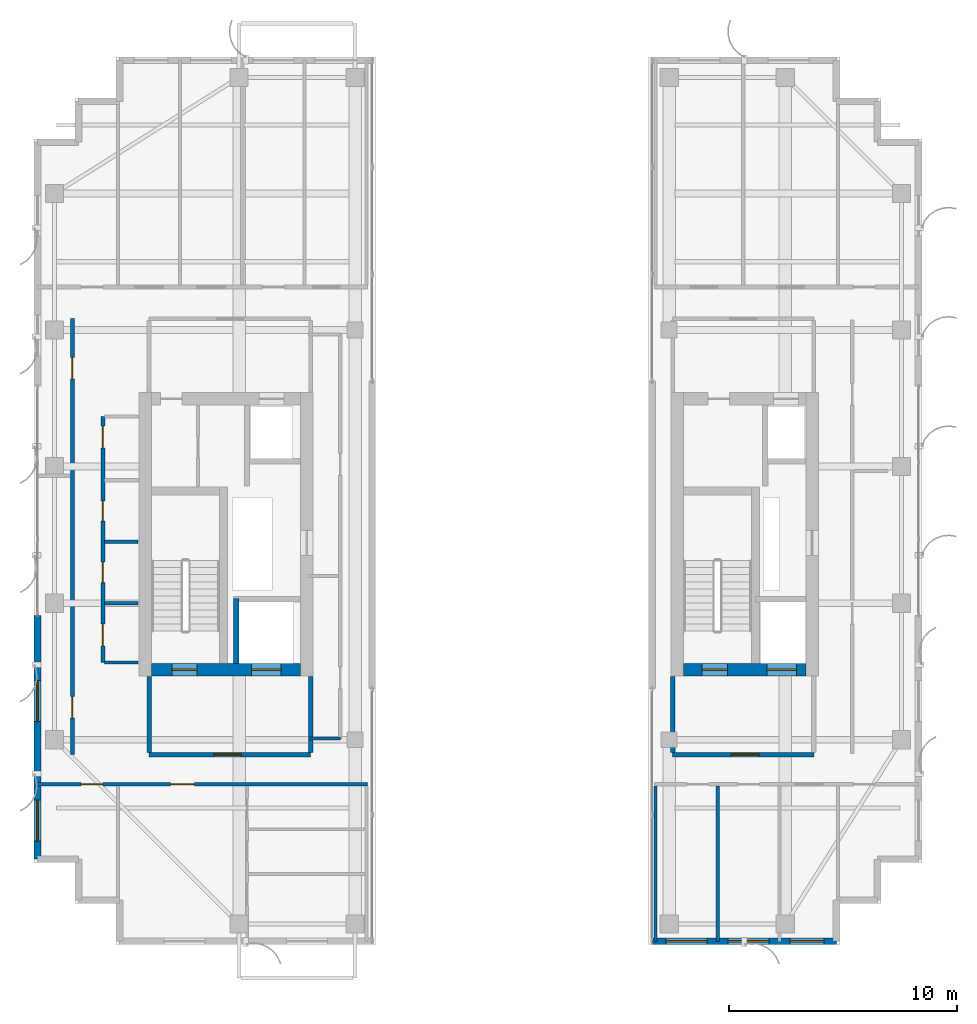
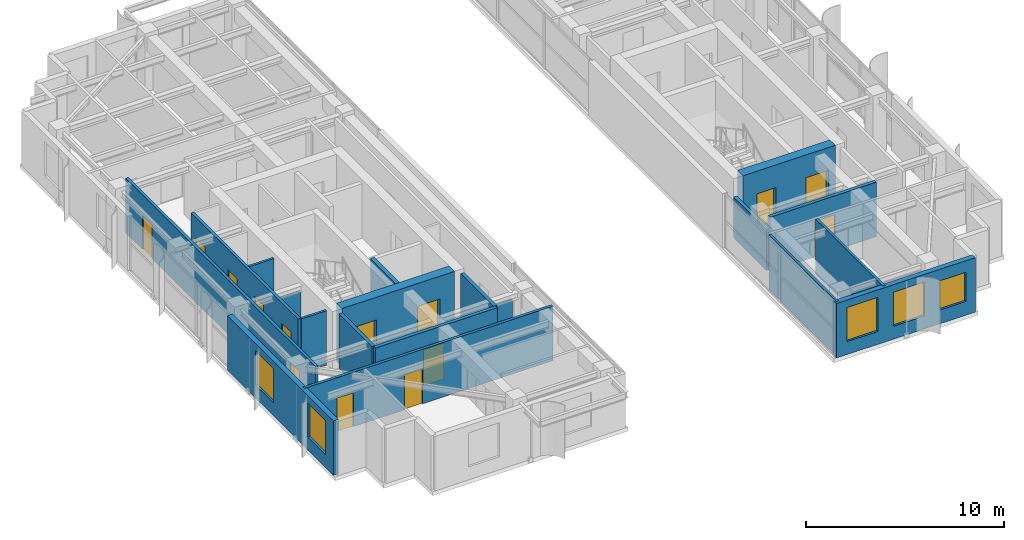
# One storey, part 17 of 22: 19 walls, 14 doors, 5 windows, 19 openings.
"""IFC4 building model written with IfcOpenShell, lengths in metres."""

from ifc_helpers import new_model, si_unit, direction, frame, frame_2d, origin, place, context, subcontext, project, spatial, rectangle, extrude, source, transform, mapped, material, layer, layer_set, type_object, element, fill, save


model = new_model("IFC4")

# Units and contexts
model_context = context("Model", 3, precision=1e-05, world=origin(), true_north=direction((0.0, 1.0)))
body_context = subcontext(model_context, "Body", "Model", "MODEL_VIEW")
ifc_project = project(units=[si_unit("LENGTHUNIT", "METRE"), si_unit("AREAUNIT", "SQUARE_METRE"), si_unit("VOLUMEUNIT", "CUBIC_METRE"), si_unit("PLANEANGLEUNIT", "RADIAN"), si_unit("MASSUNIT", "GRAM", prefix="KILO")], contexts=[model_context])

# Site, building, storey
site_placement = place(None, origin())
site = spatial("IfcSite", under=ifc_project, at=site_placement, CompositionType="ELEMENT")
building_placement = place(site_placement, origin())
building = spatial("IfcBuilding", under=site, at=building_placement, Name="Khoralis Quay Care Tower", CompositionType="ELEMENT")
storey_placement = place(building_placement, frame((0.0, 0.0, 256.5)))
storey = spatial("IfcBuildingStorey", under=building, at=storey_placement, Name="L67", CompositionType="ELEMENT", Elevation=256.5)

# Wall, opening, door
ifc_material_1 = material(Name="Gypsum plasterboard on acoustic metal stud")
ifc_layer_1 = layer(ifc_material_1, 0.199951171875)
ifc_layer_set_1 = layer_set([ifc_layer_1], Name="Gypsum plasterboard on acoustic metal stud")
wall_type_1 = type_object("IfcWallType", Name="WL-COMP-200", PredefinedType="PARTITIONING", material=ifc_layer_set_1)
wall_1_placement = place(storey_placement, frame((8.050048828125, 11.35009765625, 0.0), z_axis=(0.0, 0.0, 1.0), x_axis=(1.0, 0.0, 0.0)))
wall_1 = element("IfcWall", 1, at=wall_1_placement, inside=storey, type_object=wall_type_1, Name="L67 West Firefighting Lobby South Wall", PredefinedType="PARTITIONING", context=body_context, shape_type="SweptSolid", body=[
    extrude(rectangle(XDim=7.099853515625, YDim=0.199951171875, at=frame_2d((3.5498046875, 0.0))), origin(), (0.0, 0.0, 1.0), 3.360107421875),
])
opening_1_placement = place(wall_1_placement, frame((2.846435546875, 0.0, 0.0)))
opening_1 = element("IfcOpeningElement", 2, at=opening_1_placement, cuts=wall_1, Name="Opening FD1", PredefinedType="OPENING", context=body_context, shape_type="SweptSolid", body=[
    extrude(rectangle(XDim=1.199951171875, YDim=2.199951171875, at=frame_2d((0.60009765625, 1.10009765625))), frame((0.0, 0.10986328125, 0.0), z_axis=(0.0, -1.0, 0.0), x_axis=(1.0, 0.0, 0.0)), (0.0, 0.0, 1.0), 0.219970703125),
])
ifc_material_2 = material(Name="Fire-rated painted steel", Category="steel")
door_type_1 = type_object("IfcDoorType", Name="DR-FFL-1200X2200", OperationType="NOTDEFINED", PredefinedType="DOOR", material=ifc_material_2)
shared_shape_1 = source(origin(), body_context, "Body", "SweptSolid", [
    extrude(rectangle(XDim=1.199951171875, YDim=2.199951171875, at=frame_2d((0.60009765625, 1.10009765625))), frame((0.0, 0.02490234375, 0.0), z_axis=(0.0, -1.0, 0.0), x_axis=(1.0, 0.0, 0.0)), (0.0, 0.0, 1.0), 0.050048828125),
])
door_1_placement = place(opening_1_placement, origin())
door_1 = element("IfcDoor", 3, at=door_1_placement, inside=storey, type_object=door_type_1, Name="L67 West Firefighting Lobby Fire Door", OperationType="SINGLE_SWING_LEFT", OverallHeight=2.199951171875, OverallWidth=1.199951171875, PredefinedType="DOOR", context=body_context, shape_type="MappedRepresentation", body=[
    mapped(shared_shape_1, transform((0.0, 0.0, 0.0), scale=1.0)),
])
fill(opening_1, door_1)

# Walls
for number, where, z_axis, x_axis, name in (
    (4, (8.050048828125, 11.445068359375, 0.0), (0.0, 0.0, 1.0), (0.0, 1.0, 0.0), "L67 West Firefighting Lobby West Wall"),
    (5, (15.14990234375, 11.445068359375, 0.0), (0.0, 0.0, 1.0), (0.0, 1.0, 0.0), "L67 West Firefighting Lobby East Wall"),
):
    element("IfcWall", number, at=place(storey_placement, frame(where, z_axis=z_axis, x_axis=x_axis)), inside=storey, type_object=wall_type_1, Name=name, PredefinedType="PARTITIONING", context=body_context, shape_type="SweptSolid", body=[
        extrude(rectangle(XDim=3.3349609375, YDim=0.199951171875, at=frame_2d((1.66748046875, 0.0))), origin(), (0.0, 0.0, 1.0), 3.360107421875),
    ])

# Wall, opening, door
wall_2_placement = place(storey_placement, frame((31.050048828125, 11.35009765625, 0.0), z_axis=(0.0, 0.0, 1.0), x_axis=(1.0, 0.0, 0.0)))
wall_2 = element("IfcWall", 6, at=wall_2_placement, inside=storey, type_object=wall_type_1, Name="L67 East Firefighting Lobby South Wall", PredefinedType="PARTITIONING", context=body_context, shape_type="SweptSolid", body=[
    extrude(rectangle(XDim=6.199951171875, YDim=0.199951171875, at=frame_2d((3.10009765625, 0.0))), origin(), (0.0, 0.0, 1.0), 3.360107421875),
])
opening_2_placement = place(wall_2_placement, frame((2.585693359375, 0.0, 0.0)))
opening_2 = element("IfcOpeningElement", 7, at=opening_2_placement, cuts=wall_2, Name="Opening FD1", PredefinedType="OPENING", context=body_context, shape_type="SweptSolid", body=[
    extrude(rectangle(XDim=1.199951171875, YDim=2.199951171875, at=frame_2d((0.60009765625, 1.10009765625))), frame((0.0, 0.10986328125, 0.0), z_axis=(0.0, -1.0, 0.0), x_axis=(1.0, 0.0, 0.0)), (0.0, 0.0, 1.0), 0.219970703125),
])
door_2_placement = place(opening_2_placement, origin())
door_2 = element("IfcDoor", 8, at=door_2_placement, inside=storey, type_object=door_type_1, Name="L67 East Firefighting Lobby Fire Door", OperationType="SINGLE_SWING_RIGHT", OverallHeight=2.199951171875, OverallWidth=1.199951171875, PredefinedType="DOOR", context=body_context, shape_type="MappedRepresentation", body=[
    mapped(shared_shape_1, transform((0.0, 0.0, 0.0), scale=1.0)),
])
fill(opening_2, door_2)

# Wall
wall_3_placement = place(storey_placement, frame((31.050048828125, 11.445068359375, 0.0), z_axis=(0.0, 0.0, 1.0), x_axis=(0.0, 1.0, 0.0)))
element("IfcWall", 9, at=wall_3_placement, inside=storey, type_object=wall_type_1, Name="L67 East Firefighting Lobby West Wall", PredefinedType="PARTITIONING", context=body_context, shape_type="SweptSolid", body=[
    extrude(rectangle(XDim=3.3349609375, YDim=0.199951171875, at=frame_2d((1.66748046875, 0.0))), origin(), (0.0, 0.0, 1.0), 2.510009765625),
])

# Wall, openings, doors
ifc_material_3 = material(Name="Concrete C65/80", Category="concrete")
ifc_layer_2 = layer(ifc_material_3, 0.550048828125)
ifc_layer_set_2 = layer_set([ifc_layer_2], Name="Concrete C65/80")
wall_type_2 = type_object("IfcWallType", Name="WL-CORE-550", PredefinedType="SHEAR", material=ifc_layer_set_2)
wall_4_placement = place(storey_placement, frame((8.14990234375, 15.074951171875, 0.0), z_axis=(0.0, 0.0, 1.0), x_axis=(1.0, 0.0, 0.0)))
wall_4 = element("IfcWall", 10, at=wall_4_placement, inside=storey, type_object=wall_type_2, Name="L67 WCORE South Shear Wall", PredefinedType="SHEAR", context=body_context, shape_type="SweptSolid", body=[
    extrude(rectangle(XDim=6.550048828125, YDim=0.550048828125, at=frame_2d((3.27490234375, 0.0))), origin(), (0.0, 0.0, 1.0), 3.60009765625),
])
opening_3_placement = place(wall_4_placement, frame((0.89990234375, 0.0, 0.0)))
opening_3 = element("IfcOpeningElement", 11, at=opening_3_placement, cuts=wall_4, Name="Opening SD1", PredefinedType="OPENING", context=body_context, shape_type="SweptSolid", body=[
    extrude(rectangle(XDim=1.10009765625, YDim=2.199951171875, at=frame_2d((0.550048828125, 1.10009765625))), frame((0.0, 0.28515625, 0.0), z_axis=(0.0, -1.0, 0.0), x_axis=(1.0, 0.0, 0.0)), (0.0, 0.0, 1.0), 0.570068359375),
])
opening_4_placement = place(wall_4_placement, frame((4.39990234375, 0.0, 0.0)))
opening_4 = element("IfcOpeningElement", 12, at=opening_4_placement, cuts=wall_4, Name="Opening LD2", PredefinedType="OPENING", context=body_context, shape_type="SweptSolid", body=[
    extrude(rectangle(XDim=1.300048828125, YDim=2.199951171875, at=frame_2d((0.64990234375, 1.10009765625))), frame((0.0, 0.28515625, 0.0), z_axis=(0.0, -1.0, 0.0), x_axis=(1.0, 0.0, 0.0)), (0.0, 0.0, 1.0), 0.570068359375),
])
door_type_2 = type_object("IfcDoorType", Name="DR-STAIR-1100X2200", OperationType="NOTDEFINED", PredefinedType="DOOR", material=ifc_material_2)
shared_shape_2 = source(origin(), body_context, "Body", "SweptSolid", [
    extrude(rectangle(XDim=1.10009765625, YDim=2.199951171875, at=frame_2d((0.550048828125, 1.10009765625))), frame((0.0, 0.02490234375, 0.0), z_axis=(0.0, -1.0, 0.0), x_axis=(1.0, 0.0, 0.0)), (0.0, 0.0, 1.0), 0.050048828125),
])
door_3_placement = place(opening_3_placement, origin())
door_3 = element("IfcDoor", 13, at=door_3_placement, inside=storey, type_object=door_type_2, Name="L67 Stair ST-T1 Fire Door", OperationType="SINGLE_SWING_LEFT", OverallHeight=2.199951171875, OverallWidth=1.10009765625, PredefinedType="DOOR", context=body_context, shape_type="MappedRepresentation", body=[
    mapped(shared_shape_2, transform((0.0, 0.0, 0.0), scale=1.0)),
])
fill(opening_3, door_3)
ifc_material_4 = material(Name="Brushed stainless steel", Category="steel")
door_type_3 = type_object("IfcDoorType", Name="DR-LIFT-1300X2200", OperationType="SLIDING_TO_RIGHT", PredefinedType="DOOR", material=ifc_material_4)
shared_shape_3 = source(origin(), body_context, "Body", "SweptSolid", [
    extrude(rectangle(XDim=1.300048828125, YDim=2.199951171875, at=frame_2d((0.64990234375, 1.10009765625))), frame((0.0, 0.02490234375, 0.0), z_axis=(0.0, -1.0, 0.0), x_axis=(1.0, 0.0, 0.0)), (0.0, 0.0, 1.0), 0.050048828125),
])
door_4_placement = place(opening_4_placement, origin())
door_4 = element("IfcDoor", 14, at=door_4_placement, inside=storey, type_object=door_type_3, Name="L67 Firefighting Lift FFL-1 Landing Door", OperationType="SLIDING_TO_RIGHT", OverallHeight=2.199951171875, OverallWidth=1.300048828125, PredefinedType="DOOR", context=body_context, shape_type="MappedRepresentation", body=[
    mapped(shared_shape_3, transform((0.0, 0.0, 0.0), scale=1.0)),
])
fill(opening_4, door_4)

wall_5_placement = place(storey_placement, frame((31.52001953125, 15.074951171875, 0.0), z_axis=(0.0, 0.0, 1.0), x_axis=(1.0, 0.0, 0.0)))
wall_5 = element("IfcWall", 15, at=wall_5_placement, inside=storey, type_object=wall_type_2, Name="L67 ECORE South Shear Wall", PredefinedType="SHEAR", context=body_context, shape_type="SweptSolid", body=[
    extrude(rectangle(XDim=5.3798828125, YDim=0.550048828125, at=frame_2d((2.68994140625, 0.0))), origin(), (0.0, 0.0, 1.0), 3.60009765625),
])
opening_5_placement = place(wall_5_placement, frame((0.830078125, 0.0, 0.0)))
opening_5 = element("IfcOpeningElement", 16, at=opening_5_placement, cuts=wall_5, Name="Opening SD1", PredefinedType="OPENING", context=body_context, shape_type="SweptSolid", body=[
    extrude(rectangle(XDim=1.10009765625, YDim=2.199951171875, at=frame_2d((0.550048828125, 1.10009765625))), frame((0.0, 0.28515625, 0.0), z_axis=(0.0, -1.0, 0.0), x_axis=(1.0, 0.0, 0.0)), (0.0, 0.0, 1.0), 0.570068359375),
])
opening_6_placement = place(wall_5_placement, frame((3.679931640625, 0.0, 0.0)))
opening_6 = element("IfcOpeningElement", 17, at=opening_6_placement, cuts=wall_5, Name="Opening LD2", PredefinedType="OPENING", context=body_context, shape_type="SweptSolid", body=[
    extrude(rectangle(XDim=1.300048828125, YDim=2.199951171875, at=frame_2d((0.64990234375, 1.10009765625))), frame((0.0, 0.28515625, 0.0), z_axis=(0.0, -1.0, 0.0), x_axis=(1.0, 0.0, 0.0)), (0.0, 0.0, 1.0), 0.570068359375),
])
door_5_placement = place(opening_5_placement, origin())
door_5 = element("IfcDoor", 18, at=door_5_placement, inside=storey, type_object=door_type_2, Name="L67 Stair ST-T2 Fire Door", OperationType="SINGLE_SWING_RIGHT", OverallHeight=2.199951171875, OverallWidth=1.10009765625, PredefinedType="DOOR", context=body_context, shape_type="MappedRepresentation", body=[
    mapped(shared_shape_2, transform((0.0, 0.0, 0.0), scale=1.0)),
])
fill(opening_5, door_5)
door_6_placement = place(opening_6_placement, origin())
door_6 = element("IfcDoor", 19, at=door_6_placement, inside=storey, type_object=door_type_3, Name="L67 Firefighting Lift FFL-2 Landing Door", OperationType="SLIDING_TO_RIGHT", OverallHeight=2.199951171875, OverallWidth=1.300048828125, PredefinedType="DOOR", context=body_context, shape_type="MappedRepresentation", body=[
    mapped(shared_shape_3, transform((0.0, 0.0, 0.0), scale=1.0)),
])
fill(opening_6, door_6)

ifc_layer_3 = layer(ifc_material_1, 0.1650390625)
ifc_layer_set_3 = layer_set([ifc_layer_3], Name="Gypsum plasterboard on acoustic metal stud")
wall_type_3 = type_object("IfcWallType", Name="WL-CORR-165", PredefinedType="PARTITIONING", material=ifc_layer_set_3)
wall_6_placement = place(storey_placement, frame((6.02001953125, 15.39990234375, 0.0), z_axis=(0.0, 0.0, 1.0), x_axis=(0.0, 1.0, 0.0)))
wall_6 = element("IfcWall", 20, at=wall_6_placement, inside=storey, type_object=wall_type_3, Name="L67 West Core Service Flank Wall", PredefinedType="PARTITIONING", context=body_context, shape_type="SweptSolid", body=[
    extrude(rectangle(XDim=10.800048828125, YDim=0.1650390625, at=frame_2d((5.39990234375, 0.0))), origin(), (0.0, 0.0, 1.0), 3.360107421875),
])
opening_7_placement = place(wall_6_placement, frame((0.72509765625, 0.0, 0.0)))
opening_7 = element("IfcOpeningElement", 21, at=opening_7_placement, cuts=wall_6, Name="Opening ID1", PredefinedType="OPENING", context=body_context, shape_type="SweptSolid", body=[
    extrude(rectangle(XDim=0.949951171875, YDim=2.10009765625, at=frame_2d((0.47509765625, 1.050048828125))), frame((0.0, 0.092529296875, 0.0), z_axis=(0.0, -1.0, 0.0), x_axis=(1.0, 0.0, 0.0)), (0.0, 0.0, 1.0), 0.18505859375),
])
opening_8_placement = place(wall_6_placement, frame((3.5, 0.0, 0.0)))
opening_8 = element("IfcOpeningElement", 22, at=opening_8_placement, cuts=wall_6, Name="Opening WD1", PredefinedType="OPENING", context=body_context, shape_type="SweptSolid", body=[
    extrude(rectangle(XDim=0.89990234375, YDim=2.10009765625, at=frame_2d((0.449951171875, 1.050048828125))), frame((0.0, 0.092529296875, 0.0), z_axis=(0.0, -1.0, 0.0), x_axis=(1.0, 0.0, 0.0)), (0.0, 0.0, 1.0), 0.18505859375),
])
opening_9_placement = place(wall_6_placement, frame((6.199951171875, 0.0, 0.0)))
opening_9 = element("IfcOpeningElement", 23, at=opening_9_placement, cuts=wall_6, Name="Opening WD1", PredefinedType="OPENING", context=body_context, shape_type="SweptSolid", body=[
    extrude(rectangle(XDim=0.89990234375, YDim=2.10009765625, at=frame_2d((0.449951171875, 1.050048828125))), frame((0.0, 0.092529296875, 0.0), z_axis=(0.0, -1.0, 0.0), x_axis=(1.0, 0.0, 0.0)), (0.0, 0.0, 1.0), 0.18505859375),
])
opening_10_placement = place(wall_6_placement, frame((9.425048828125, 0.0, 0.0)))
opening_10 = element("IfcOpeningElement", 24, at=opening_10_placement, cuts=wall_6, Name="Opening ID1", PredefinedType="OPENING", context=body_context, shape_type="SweptSolid", body=[
    extrude(rectangle(XDim=0.949951171875, YDim=2.10009765625, at=frame_2d((0.47509765625, 1.050048828125))), frame((0.0, 0.092529296875, 0.0), z_axis=(0.0, -1.0, 0.0), x_axis=(1.0, 0.0, 0.0)), (0.0, 0.0, 1.0), 0.18505859375),
])
ifc_material_5 = material(Name="Acoustic hardwood timber", Category="wood")
door_type_4 = type_object("IfcDoorType", Name="DR-BATH-900X2100", OperationType="NOTDEFINED", PredefinedType="DOOR", material=ifc_material_5)
shared_shape_4 = source(origin(), body_context, "Body", "SweptSolid", [
    extrude(rectangle(XDim=0.89990234375, YDim=2.10009765625, at=frame_2d((0.449951171875, 1.050048828125))), frame((0.0, 0.02490234375, 0.0), z_axis=(0.0, -1.0, 0.0), x_axis=(1.0, 0.0, 0.0)), (0.0, 0.0, 1.0), 0.050048828125),
])
door_7_placement = place(opening_8_placement, frame((0.89990234375, 0.0, 0.0), z_axis=(0.0, 0.0, 1.0), x_axis=(-1.0, 0.0, 0.0)))
door_7 = element("IfcDoor", 25, at=door_7_placement, inside=storey, type_object=door_type_4, Name="L67 Public Accessible WC Door", OperationType="SINGLE_SWING_LEFT", OverallHeight=2.10009765625, OverallWidth=0.89990234375, PredefinedType="DOOR", context=body_context, shape_type="MappedRepresentation", body=[
    mapped(shared_shape_4, transform((0.0, 0.0, 0.0), scale=1.0)),
])
fill(opening_8, door_7)
door_8_placement = place(opening_9_placement, frame((0.89990234375, 0.0, 0.0), z_axis=(0.0, 0.0, 1.0), x_axis=(-1.0, 0.0, 0.0)))
door_8 = element("IfcDoor", 26, at=door_8_placement, inside=storey, type_object=door_type_4, Name="L67 Staff Accessible WC Door", OperationType="SINGLE_SWING_RIGHT", OverallHeight=2.10009765625, OverallWidth=0.89990234375, PredefinedType="DOOR", context=body_context, shape_type="MappedRepresentation", body=[
    mapped(shared_shape_4, transform((0.0, 0.0, 0.0), scale=1.0)),
])
fill(opening_9, door_8)
door_type_5 = type_object("IfcDoorType", Name="DR-ROOM-950X2100", OperationType="NOTDEFINED", PredefinedType="DOOR", material=ifc_material_5)
shared_shape_5 = source(origin(), body_context, "Body", "SweptSolid", [
    extrude(rectangle(XDim=0.949951171875, YDim=2.10009765625, at=frame_2d((0.47509765625, 1.050048828125))), frame((0.0, 0.02490234375, 0.0), z_axis=(0.0, -1.0, 0.0), x_axis=(1.0, 0.0, 0.0)), (0.0, 0.0, 1.0), 0.050048828125),
])
door_9_placement = place(opening_7_placement, frame((0.949951171875, 0.0, 0.0), z_axis=(0.0, 0.0, 1.0), x_axis=(-1.0, 0.0, 0.0)))
door_9 = element("IfcDoor", 27, at=door_9_placement, inside=storey, type_object=door_type_5, Name="L67 Housekeeping Store Door", OperationType="SINGLE_SWING_RIGHT", OverallHeight=2.10009765625, OverallWidth=0.949951171875, PredefinedType="DOOR", context=body_context, shape_type="MappedRepresentation", body=[
    mapped(shared_shape_5, transform((0.0, 0.0, 0.0), scale=1.0)),
])
fill(opening_7, door_9)
door_10_placement = place(opening_10_placement, frame((0.949951171875, 0.0, 0.0), z_axis=(0.0, 0.0, 1.0), x_axis=(-1.0, 0.0, 0.0)))
door_10 = element("IfcDoor", 28, at=door_10_placement, inside=storey, type_object=door_type_5, Name="L67 Telecom IDF Room Door", OperationType="SINGLE_SWING_LEFT", OverallHeight=2.10009765625, OverallWidth=0.949951171875, PredefinedType="DOOR", context=body_context, shape_type="MappedRepresentation", body=[
    mapped(shared_shape_5, transform((0.0, 0.0, 0.0), scale=1.0)),
])
fill(opening_10, door_10)

wall_7_placement = place(storey_placement, frame((3.14501953125, 10.0400390625, 0.0), z_axis=(0.0, 0.0, 1.0), x_axis=(1.0, 0.0, 0.0)))
wall_7 = element("IfcWall", 29, at=wall_7_placement, inside=storey, type_object=wall_type_3, Name="L67 West Wing South Corridor Wall", PredefinedType="PARTITIONING", context=body_context, shape_type="SweptSolid", body=[
    extrude(rectangle(XDim=14.5048828125, YDim=0.1650390625, at=frame_2d((7.25244140625, 0.0))), origin(), (0.0, 0.0, 1.0), 3.360107421875),
])
opening_11_placement = place(wall_7_placement, frame((5.84912109375, 0.0, 0.0)))
opening_11 = element("IfcOpeningElement", 30, at=opening_11_placement, cuts=wall_7, Name="Opening UD1", PredefinedType="OPENING", context=body_context, shape_type="SweptSolid", body=[
    extrude(rectangle(XDim=1.050048828125, YDim=2.14990234375, at=frame_2d((0.52490234375, 1.074951171875))), frame((0.0, 0.092529296875, 0.0), z_axis=(0.0, -1.0, 0.0), x_axis=(1.0, 0.0, 0.0)), (0.0, 0.0, 1.0), 0.18505859375),
])
opening_12_placement = place(wall_7_placement, frame((1.919921875, 0.0, 0.0)))
opening_12 = element("IfcOpeningElement", 31, at=opening_12_placement, cuts=wall_7, Name="Opening ID1", PredefinedType="OPENING", context=body_context, shape_type="SweptSolid", body=[
    extrude(rectangle(XDim=0.949951171875, YDim=2.10009765625, at=frame_2d((0.47509765625, 1.050048828125))), frame((0.0, 0.092529296875, 0.0), z_axis=(0.0, -1.0, 0.0), x_axis=(1.0, 0.0, 0.0)), (0.0, 0.0, 1.0), 0.18505859375),
])
door_11_placement = place(opening_12_placement, frame((0.949951171875, 0.0, 0.0), z_axis=(0.0, 0.0, 1.0), x_axis=(-1.0, 0.0, 0.0)))
door_11 = element("IfcDoor", 32, at=door_11_placement, inside=storey, type_object=door_type_5, Name="L67 SW Corner Door", OperationType="SINGLE_SWING_LEFT", OverallHeight=2.10009765625, OverallWidth=0.949951171875, PredefinedType="DOOR", context=body_context, shape_type="MappedRepresentation", body=[
    mapped(shared_shape_5, transform((0.0, 0.0, 0.0), scale=1.0)),
])
fill(opening_12, door_11)
door_type_6 = type_object("IfcDoorType", Name="DR-SUITE-1050X2150", OperationType="NOTDEFINED", PredefinedType="DOOR", material=ifc_material_5)
shared_shape_6 = source(origin(), body_context, "Body", "SweptSolid", [
    extrude(rectangle(XDim=1.050048828125, YDim=2.14990234375, at=frame_2d((0.52490234375, 1.074951171875))), frame((0.0, 0.02490234375, 0.0), z_axis=(0.0, -1.0, 0.0), x_axis=(1.0, 0.0, 0.0)), (0.0, 0.0, 1.0), 0.050048828125),
])
door_12_placement = place(opening_11_placement, frame((1.050048828125, 0.0, 0.0), z_axis=(0.0, 0.0, 1.0), x_axis=(-1.0, 0.0, 0.0)))
door_12 = element("IfcDoor", 33, at=door_12_placement, inside=storey, type_object=door_type_6, Name="L67 Apartment WS0 Entrance Door", OperationType="SINGLE_SWING_RIGHT", OverallHeight=2.14990234375, OverallWidth=1.050048828125, PredefinedType="DOOR", context=body_context, shape_type="MappedRepresentation", body=[
    mapped(shared_shape_6, transform((0.0, 0.0, 0.0), scale=1.0)),
])
fill(opening_11, door_12)

wall_8_placement = place(storey_placement, frame((4.679931640625, 11.35009765625, 0.0), z_axis=(0.0, 0.0, 1.0), x_axis=(0.0, 1.0, 0.0)))
wall_8 = element("IfcWall", 34, at=wall_8_placement, inside=storey, type_object=wall_type_3, Name="L67 West Mid South Entry Wall", PredefinedType="PARTITIONING", context=body_context, shape_type="SweptSolid", body=[
    extrude(rectangle(XDim=19.14990234375, YDim=0.1650390625, at=frame_2d((9.574951171875, 0.0))), origin(), (0.0, 0.0, 1.0), 3.360107421875),
])
opening_13_placement = place(wall_8_placement, frame((1.60009765625, 0.0, 0.0)))
opening_13 = element("IfcOpeningElement", 35, at=opening_13_placement, cuts=wall_8, Name="Opening ID1", PredefinedType="OPENING", context=body_context, shape_type="SweptSolid", body=[
    extrude(rectangle(XDim=0.949951171875, YDim=2.10009765625, at=frame_2d((0.47509765625, 1.050048828125))), frame((0.0, 0.092529296875, 0.0), z_axis=(0.0, -1.0, 0.0), x_axis=(1.0, 0.0, 0.0)), (0.0, 0.0, 1.0), 0.18505859375),
])
opening_14_placement = place(wall_8_placement, frame((16.5, 0.0, 0.0)))
opening_14 = element("IfcOpeningElement", 36, at=opening_14_placement, cuts=wall_8, Name="Opening ID1", PredefinedType="OPENING", context=body_context, shape_type="SweptSolid", body=[
    extrude(rectangle(XDim=0.949951171875, YDim=2.10009765625, at=frame_2d((0.47509765625, 1.050048828125))), frame((0.0, 0.092529296875, 0.0), z_axis=(0.0, -1.0, 0.0), x_axis=(1.0, 0.0, 0.0)), (0.0, 0.0, 1.0), 0.18505859375),
])
door_13_placement = place(opening_13_placement, frame((0.949951171875, 0.0, 0.0), z_axis=(0.0, 0.0, 1.0), x_axis=(-1.0, 0.0, 0.0)))
door_13 = element("IfcDoor", 37, at=door_13_placement, inside=storey, type_object=door_type_5, Name="L67 West Waterfront Living Suite Door", OperationType="SINGLE_SWING_LEFT", OverallHeight=2.10009765625, OverallWidth=0.949951171875, PredefinedType="DOOR", context=body_context, shape_type="MappedRepresentation", body=[
    mapped(shared_shape_5, transform((0.0, 0.0, 0.0), scale=1.0)),
])
fill(opening_13, door_13)
door_14_placement = place(opening_14_placement, frame((0.949951171875, 0.0, 0.0), z_axis=(0.0, 0.0, 1.0), x_axis=(-1.0, 0.0, 0.0)))
door_14 = element("IfcDoor", 38, at=door_14_placement, inside=storey, type_object=door_type_5, Name="L67 West Resident Day Lounge Door", OperationType="SINGLE_SWING_RIGHT", OverallHeight=2.10009765625, OverallWidth=0.949951171875, PredefinedType="DOOR", context=body_context, shape_type="MappedRepresentation", body=[
    mapped(shared_shape_5, transform((0.0, 0.0, 0.0), scale=1.0)),
])
fill(opening_14, door_14)

# Wall, openings, windows
ifc_material_6 = material(Name="Precast concrete C45/55", Category="concrete")
ifc_layer_4 = layer(ifc_material_6, 0.300048828125)
ifc_layer_set_4 = layer_set([ifc_layer_4], Name="Precast concrete C45/55")
wall_type_4 = type_object("IfcWallType", Name="WL-EXT-REF-300", PredefinedType="SOLIDWALL", material=ifc_layer_set_4)
wall_9_placement = place(storey_placement, frame((3.14990234375, 17.4599609375, 0.0), z_axis=(0.0, 0.0, 1.0), x_axis=(0.0, -1.0, 0.0)))
wall_9 = element("IfcWall", 39, at=wall_9_placement, inside=storey, type_object=wall_type_4, Name="L67 External Facade Wall WL-EXT-L67-P1-E7B", PredefinedType="SOLIDWALL", context=body_context, shape_type="SweptSolid", body=[
    extrude(rectangle(XDim=10.7099609375, YDim=0.300048828125, at=frame_2d((5.35498046875, 0.0))), origin(), (0.0, 0.0, 1.0), 3.360107421875),
])
opening_15_placement = place(wall_9_placement, frame((2.860107421875, 0.0, 0.800048828125)))
opening_15 = element("IfcOpeningElement", 40, at=opening_15_placement, cuts=wall_9, Name="Opening W2", PredefinedType="OPENING", context=body_context, shape_type="SweptSolid", body=[
    extrude(rectangle(XDim=1.800048828125, YDim=2.10009765625, at=frame_2d((0.89990234375, 1.050048828125))), frame((0.0, 0.16015625, 0.0), z_axis=(0.0, -1.0, 0.0), x_axis=(1.0, 0.0, 0.0)), (0.0, 0.0, 1.0), 0.320068359375),
])
opening_16_placement = place(wall_9_placement, frame((8.114990234375, 0.0, 0.800048828125)))
opening_16 = element("IfcOpeningElement", 41, at=opening_16_placement, cuts=wall_9, Name="Opening W2", PredefinedType="OPENING", context=body_context, shape_type="SweptSolid", body=[
    extrude(rectangle(XDim=1.800048828125, YDim=2.10009765625, at=frame_2d((0.89990234375, 1.050048828125))), frame((0.0, 0.16015625, 0.0), z_axis=(0.0, -1.0, 0.0), x_axis=(1.0, 0.0, 0.0)), (0.0, 0.0, 1.0), 0.320068359375),
])
ifc_material_7 = material(Name="Low-E solar-control double glazing", Category="glass")
window_type_1 = type_object("IfcWindowType", Name="WN-POD-1800X2100", PartitioningType="SINGLE_PANEL", PredefinedType="WINDOW", material=ifc_material_7)
shared_shape_7 = source(origin(), body_context, "Body", "SweptSolid", [
    extrude(rectangle(XDim=1.800048828125, YDim=2.10009765625, at=frame_2d((0.89990234375, 1.050048828125))), frame((0.0, 0.030029296875, 0.0), z_axis=(0.0, -1.0, 0.0), x_axis=(1.0, 0.0, 0.0)), (0.0, 0.0, 1.0), 0.06005859375),
])
window_1_placement = place(opening_15_placement, origin())
window_1 = element("IfcWindow", 42, at=window_1_placement, inside=storey, type_object=window_type_1, Name="WN-L67-P1-E7B Facade Window 01", OverallHeight=2.10009765625, OverallWidth=1.800048828125, PartitioningType="SINGLE_PANEL", PredefinedType="WINDOW", context=body_context, shape_type="MappedRepresentation", body=[
    mapped(shared_shape_7, transform((0.0, 0.0, 0.0), scale=1.0)),
])
fill(opening_15, window_1)
window_2_placement = place(opening_16_placement, origin())
window_2 = element("IfcWindow", 43, at=window_2_placement, inside=storey, type_object=window_type_1, Name="WN-L67-P1-E7B Facade Window 02", OverallHeight=2.10009765625, OverallWidth=1.800048828125, PartitioningType="SINGLE_PANEL", PredefinedType="WINDOW", context=body_context, shape_type="MappedRepresentation", body=[
    mapped(shared_shape_7, transform((0.0, 0.0, 0.0), scale=1.0)),
])
fill(opening_16, window_2)

wall_10_placement = place(storey_placement, frame((30.14990234375, 3.14990234375, 0.0), z_axis=(0.0, 0.0, 1.0), x_axis=(1.0, 0.0, 0.0)))
wall_10 = element("IfcWall", 44, at=wall_10_placement, inside=storey, type_object=wall_type_4, Name="L67 External Facade Wall WL-EXT-L67-P2-E0", PredefinedType="SOLIDWALL", context=body_context, shape_type="SweptSolid", body=[
    extrude(rectangle(XDim=8.10009765625, YDim=0.300048828125, at=frame_2d((4.050048828125, 0.0))), origin(), (0.0, 0.0, 1.0), 3.360107421875),
])
opening_17_placement = place(wall_10_placement, frame((0.614990234375, 0.0, 0.800048828125)))
opening_17 = element("IfcOpeningElement", 45, at=opening_17_placement, cuts=wall_10, Name="Opening W2", PredefinedType="OPENING", context=body_context, shape_type="SweptSolid", body=[
    extrude(rectangle(XDim=1.800048828125, YDim=2.10009765625, at=frame_2d((0.89990234375, 1.050048828125))), frame((0.0, 0.16015625, 0.0), z_axis=(0.0, -1.0, 0.0), x_axis=(1.0, 0.0, 0.0)), (0.0, 0.0, 1.0), 0.320068359375),
])
opening_18_placement = place(wall_10_placement, frame((3.340087890625, 0.0, 0.800048828125)))
opening_18 = element("IfcOpeningElement", 46, at=opening_18_placement, cuts=wall_10, Name="Opening W2", PredefinedType="OPENING", context=body_context, shape_type="SweptSolid", body=[
    extrude(rectangle(XDim=1.800048828125, YDim=2.10009765625, at=frame_2d((0.89990234375, 1.050048828125))), frame((0.0, 0.16015625, 0.0), z_axis=(0.0, -1.0, 0.0), x_axis=(1.0, 0.0, 0.0)), (0.0, 0.0, 1.0), 0.320068359375),
])
opening_19_placement = place(wall_10_placement, frame((6.050048828125, 0.0, 0.85009765625)))
opening_19 = element("IfcOpeningElement", 47, at=opening_19_placement, cuts=wall_10, Name="Opening W3", PredefinedType="OPENING", context=body_context, shape_type="SweptSolid", body=[
    extrude(rectangle(XDim=1.5, YDim=1.800048828125, at=frame_2d((0.75, 0.89990234375))), frame((0.0, 0.16015625, 0.0), z_axis=(0.0, -1.0, 0.0), x_axis=(1.0, 0.0, 0.0)), (0.0, 0.0, 1.0), 0.320068359375),
])
window_type_2 = type_object("IfcWindowType", Name="WN-CLIN-1500X1800", PartitioningType="SINGLE_PANEL", PredefinedType="WINDOW", material=ifc_material_7)
shared_shape_8 = source(origin(), body_context, "Body", "SweptSolid", [
    extrude(rectangle(XDim=1.5, YDim=1.800048828125, at=frame_2d((0.75, 0.89990234375))), frame((0.0, 0.030029296875, 0.0), z_axis=(0.0, -1.0, 0.0), x_axis=(1.0, 0.0, 0.0)), (0.0, 0.0, 1.0), 0.06005859375),
])
window_3_placement = place(opening_19_placement, origin())
window_3 = element("IfcWindow", 48, at=window_3_placement, inside=storey, type_object=window_type_2, Name="WN-L67-P2-E0 Facade Window 03", OverallHeight=1.800048828125, OverallWidth=1.5, PartitioningType="SINGLE_PANEL", PredefinedType="WINDOW", context=body_context, shape_type="MappedRepresentation", body=[
    mapped(shared_shape_8, transform((0.0, 0.0, 0.0), scale=1.0)),
])
fill(opening_19, window_3)
window_4_placement = place(opening_17_placement, origin())
window_4 = element("IfcWindow", 49, at=window_4_placement, inside=storey, type_object=window_type_1, Name="WN-L67-P2-E0 Facade Window 01", OverallHeight=2.10009765625, OverallWidth=1.800048828125, PartitioningType="SINGLE_PANEL", PredefinedType="WINDOW", context=body_context, shape_type="MappedRepresentation", body=[
    mapped(shared_shape_7, transform((0.0, 0.0, 0.0), scale=1.0)),
])
fill(opening_17, window_4)
window_5_placement = place(opening_18_placement, origin())
window_5 = element("IfcWindow", 50, at=window_5_placement, inside=storey, type_object=window_type_1, Name="WN-L67-P2-E0 Facade Window 02", OverallHeight=2.10009765625, OverallWidth=1.800048828125, PartitioningType="SINGLE_PANEL", PredefinedType="WINDOW", context=body_context, shape_type="MappedRepresentation", body=[
    mapped(shared_shape_7, transform((0.0, 0.0, 0.0), scale=1.0)),
])
fill(opening_18, window_5)

# Walls
ifc_material_8 = material(Name="Moisture-resistant gypsum and ceramic tile")
ifc_layer_5 = layer(ifc_material_8, 0.280029296875)
ifc_layer_set_5 = layer_set([ifc_layer_5], Name="Moisture-resistant gypsum and ceramic tile")
wall_type_5 = type_object("IfcWallType", Name="WL-PLUMB-280", PredefinedType="PLUMBINGWALL", material=ifc_layer_set_5)
wall_11_placement = place(storey_placement, frame((6.097412109375, 18.0, 0.0), z_axis=(0.0, 0.0, 1.0), x_axis=(1.0, 0.0, 0.0)))
element("IfcWall", 51, at=wall_11_placement, inside=storey, type_object=wall_type_5, Name="L67 West Flank Divider 1", PredefinedType="PLUMBINGWALL", context=body_context, shape_type="SweptSolid", body=[
    extrude(rectangle(XDim=1.462646484375, YDim=0.139892578125, at=frame_2d((0.7314453125, 0.0))), origin(), (0.0, 0.0, 1.0), 2.9599609375),
])
wall_12_placement = place(storey_placement, frame((6.097412109375, 20.699951171875, 0.0), z_axis=(0.0, 0.0, 1.0), x_axis=(1.0, 0.0, 0.0)))
element("IfcWall", 52, at=wall_12_placement, inside=storey, type_object=wall_type_5, Name="L67 West Flank Divider 2", PredefinedType="PLUMBINGWALL", context=body_context, shape_type="SweptSolid", body=[
    extrude(rectangle(XDim=1.462646484375, YDim=0.139892578125, at=frame_2d((0.7314453125, 0.0))), origin(), (0.0, 0.0, 1.0), 3.360107421875),
])
ifc_layer_6 = layer(ifc_material_1, 0.239990234375)
ifc_layer_set_6 = layer_set([ifc_layer_6], Name="Gypsum plasterboard on acoustic metal stud")
wall_type_6 = type_object("IfcWallType", Name="WL-SHAFT-240", PredefinedType="PARTITIONING", material=ifc_layer_set_6)
wall_13_placement = place(storey_placement, frame((11.8798828125, 15.35009765625, 0.0), z_axis=(0.0, 0.0, 1.0), x_axis=(0.0, 1.0, 0.0)))
element("IfcWall", 53, at=wall_13_placement, inside=storey, type_object=wall_type_6, Name="L67 FFL-1 Shaft Wall West", PredefinedType="PARTITIONING", context=body_context, shape_type="SweptSolid", body=[
    extrude(rectangle(XDim=2.849853515625, YDim=0.239990234375, at=frame_2d((1.4248046875, 0.0))), origin(), (0.0, 0.0, 1.0), 3.360107421875),
])
ifc_layer_7 = layer(ifc_material_1, 0.139892578125)
ifc_layer_set_7 = layer_set([ifc_layer_7], Name="Gypsum plasterboard on acoustic metal stud")
wall_type_7 = type_object("IfcWallType", Name="WL-UNIT-140", PredefinedType="PARTITIONING", material=ifc_layer_set_7)
wall_14_placement = place(storey_placement, frame((6.097412109375, 15.39990234375, 0.0), z_axis=(0.0, 0.0, 1.0), x_axis=(1.0, 0.0, 0.0)))
element("IfcWall", 54, at=wall_14_placement, inside=storey, type_object=wall_type_7, Name="L67 West Flank South Cap", PredefinedType="PARTITIONING", context=body_context, shape_type="SweptSolid", body=[
    extrude(rectangle(XDim=1.462646484375, YDim=0.139892578125, at=frame_2d((0.7314453125, 0.0))), origin(), (0.0, 0.0, 1.0), 3.360107421875),
])
for number, where, z_axis, x_axis, name in (
    (55, (30.300048828125, 3.14501953125, 0.0), (0.0, 0.0, 1.0), (0.0, 1.0, 0.0), "L67 ES Demising Wall 0"),
    (56, (33.030029296875, 3.14501953125, 0.0), (0.0, 0.0, 1.0), (0.0, 1.0, 0.0), "L67 ES Demising Wall 1"),
):
    element("IfcWall", number, at=place(storey_placement, frame(where, z_axis=z_axis, x_axis=x_axis)), inside=storey, type_object=wall_type_7, Name=name, PredefinedType="PARTITIONING", context=body_context, shape_type="SweptSolid", body=[
        extrude(rectangle(XDim=6.8173828125, YDim=0.139892578125, at=frame_2d((3.40869140625, 0.0))), origin(), (0.0, 0.0, 1.0), 3.360107421875),
    ])
wall_15_placement = place(storey_placement, frame((15.050048828125, 12.050048828125, 0.0), z_axis=(0.0, 0.0, 1.0), x_axis=(1.0, 0.0, 0.0)))
element("IfcWall", 57, at=wall_15_placement, inside=storey, type_object=wall_type_7, Name="L67 Portal Alcove South Wall", PredefinedType="PARTITIONING", context=body_context, shape_type="SweptSolid", body=[
    extrude(rectangle(XDim=1.39990234375, YDim=0.139892578125, at=frame_2d((0.699951171875, 0.0))), origin(), (0.0, 0.0, 1.0), 2.9599609375),
])

save(model, "model.ifc")
